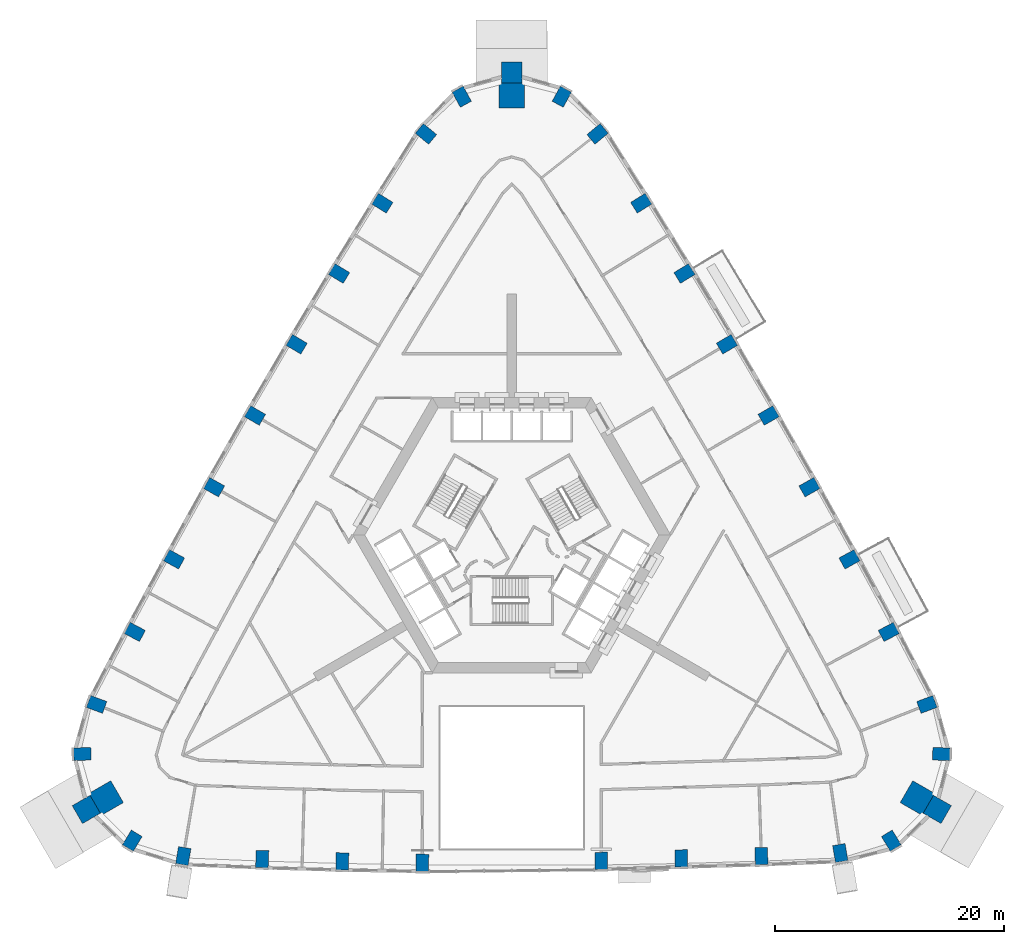
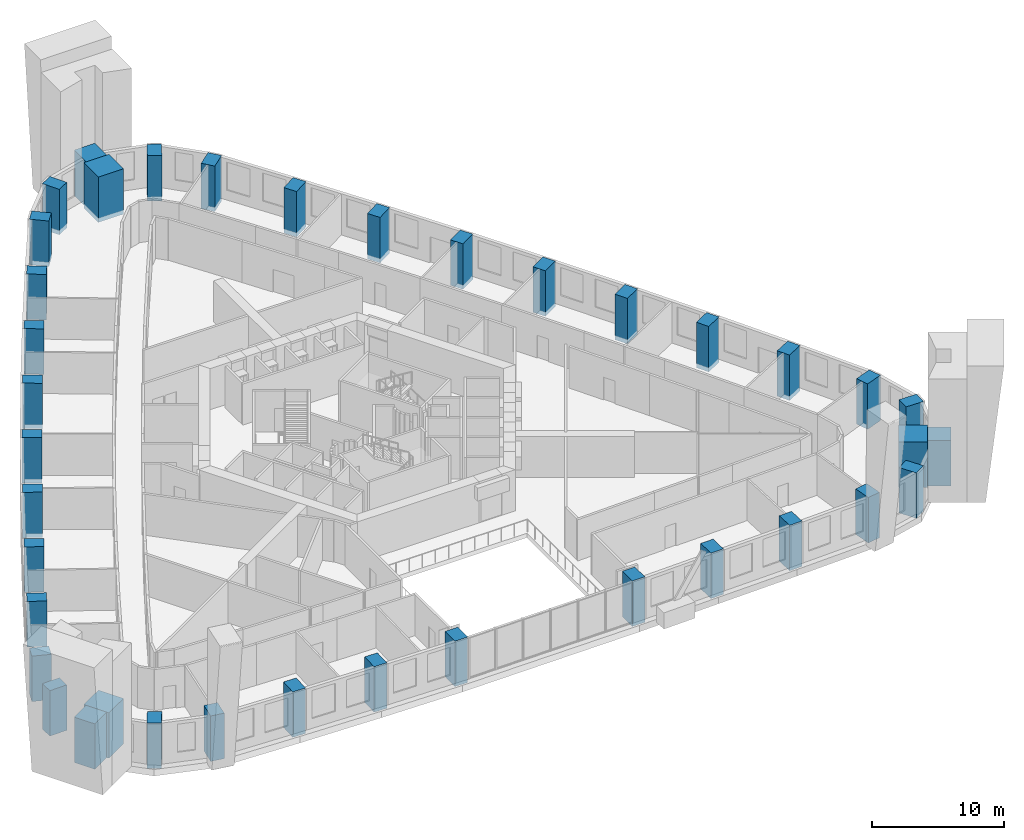
# One storey, part 1 of 15: 38 columns.
"""IFC4 building model written with IfcOpenShell, lengths in metres."""

from ifc_helpers import new_model, si_unit, direction, frame, origin, origin_2d, place, context, subcontext, project, spatial, rectangle, extrude, material, material_profile, profile_set, type_object, element, save


model = new_model("IFC4")

# Units and contexts
model_context = context("Model", 3, precision=1e-05, world=origin(), true_north=direction((0.0, 1.0)))
body_context = subcontext(model_context, "Body", "Model", "MODEL_VIEW")
ifc_project = project(units=[si_unit("LENGTHUNIT", "METRE"), si_unit("AREAUNIT", "SQUARE_METRE"), si_unit("VOLUMEUNIT", "CUBIC_METRE"), si_unit("PLANEANGLEUNIT", "RADIAN"), si_unit("MASSUNIT", "GRAM", prefix="KILO")], contexts=[model_context])

# Site, building, storey
site_placement = place(None, origin())
site = spatial("IfcSite", under=ifc_project, at=site_placement, CompositionType="ELEMENT")
building_placement = place(site_placement, origin())
building = spatial("IfcBuilding", under=site, at=building_placement, Name="Entoto Arch Interchange Tower", CompositionType="ELEMENT")
storey_placement = place(building_placement, frame((0.0, 0.0, 99.199951171875)))
storey = spatial("IfcBuildingStorey", under=building, at=storey_placement, Name="L21", CompositionType="ELEMENT", Elevation=99.199951171875)

# Columns
ifc_material_1 = material(Name="Concrete C60/75", Category="concrete")
ifc_material_profile_1 = material_profile(ifc_material_1, rectangle(XDim=1.10009765625, YDim=1.5, at=origin_2d()))
ifc_profile_set_1 = profile_set([ifc_material_profile_1], Name="Concrete C60/75")
column_type_1 = type_object("IfcColumnType", Name="Column RC 1100x1500 C60/75", PredefinedType="COLUMN", material=ifc_profile_set_1)
for number, where, z_axis, x_axis, name in (
    (1, (-28.633056640625, -25.47802734375, -0.39990234375), (0.0, 0.0, 1.0), (-0.985759288085, 0.168162498658, 0.0), "Column S01 L21"),
    (2, (-21.757080078125, -25.742919921875, -0.39990234375), (0.0, 0.0, 1.0), (-0.999373652571, 0.035387887008, 0.0), "Column S02 L21"),
    (3, (-14.77294921875, -25.943115234375, -0.39990234375), (0.0, 0.0, 1.0), (-0.999711216939, 0.024030870297, 0.0), "Column S03 L21"),
    (4, (-7.7919921875, -26.06591796875, -0.39990234375), (0.0, 0.0, 1.0), (-0.999958020206, 0.009162850353, 0.0), "Column S04 L21"),
    (5, (7.7919921875, -25.89404296875, -0.39990234375), (0.0, 0.0, 1.0), (0.999958020206, 0.009162850353, 0.0), "Column S05 L21"),
    (6, (14.77294921875, -25.678955078125, -0.39990234375), (0.0, 0.0, 1.0), (0.999711216939, 0.024030870297, 0.0), "Column S06 L21"),
    (7, (21.757080078125, -25.47900390625, -0.39990234375), (0.0, 0.0, 1.0), (0.999373652571, 0.035387887008, 0.0), "Column S07 L21"),
    (8, (28.633056640625, -25.214111328125, -0.39990234375), (0.0, 0.0, 1.0), (0.985759288085, 0.168162498658, 0.0), "Column S08 L21"),
    (9, (33.077880859375, -24.132080078125, -0.39990234375), (0.0, 0.0, 1.0), (0.854095929175, 0.520115510024, 0.0), "Column SE1 L21"),
    (10, (37.43798828125, -16.5810546875, -0.39990234375), (0.0, 0.0, 1.0), (0.023385279996, 0.999726526946, 0.0), "Column SE3 L21"),
    (11, (36.18798828125, -12.260986328125, -0.39990234375), (0.0, 0.0, 1.0), (-0.347312116358, 0.937749590152, 0.0), "Column NE01 L21"),
    (12, (32.85791015625, -5.943115234375, -0.39990234375), (0.0, 0.0, 1.0), (-0.469332863911, 0.883021326386, 0.0), "Column NE02 L21"),
    (13, (29.43798828125, 0.385009765625, -0.39990234375), (0.0, 0.0, 1.0), (-0.479611016922, 0.87748120917, 0.0), "Column NE03 L21"),
    (14, (25.947998046875, 6.675048828125, -0.39990234375), (0.0, 0.0, 1.0), (-0.489838999048, 0.87181291285, 0.0), "Column NE04 L21"),
    (15, (22.386962890625, 12.925048828125, -0.39990234375), (0.0, 0.0, 1.0), (-0.5, 0.866025403784, 0.0), "Column NE05 L21"),
    (16, (18.7548828125, 19.134033203125, -0.39990234375), (0.0, 0.0, 1.0), (-0.510092630351, 0.860119473365, 0.0), "Column NE06 L21"),
    (17, (15.052978515625, 25.302001953125, -0.39990234375), (0.0, 0.0, 1.0), (-0.520115510024, 0.854095929175, 0.0), "Column NE07 L21"),
    (18, (11.282958984375, 31.427978515625, -0.39990234375), (0.0, 0.0, 1.0), (-0.530067268476, 0.847955594881, 0.0), "Column NE08 L21"),
    (19, (7.47607421875, 37.469970703125, -0.39990234375), (0.0, 0.0, 1.0), (-0.638458909281, 0.769655910885, 0.0), "Column NE09 L21"),
    (20, (4.360107421875, 40.7119140625, -0.39990234375), (0.0, 0.0, 1.0), (-0.87748120917, 0.479611016922, 0.0), "Column N1 L21"),
    (21, (-4.360107421875, 40.7119140625, -0.39990234375), (0.0, 0.0, 1.0), (0.87748120917, 0.479611016922, 0.0), "Column N3 L21"),
    (22, (-7.47607421875, 37.469970703125, -0.39990234375), (0.0, 0.0, 1.0), (0.638458909281, 0.769655910885, 0.0), "Column NW01 L21"),
    (23, (-11.282958984375, 31.427978515625, -0.39990234375), (0.0, 0.0, 1.0), (0.530067268476, 0.847955594881, 0.0), "Column NW02 L21"),
    (24, (-15.052978515625, 25.302001953125, -0.39990234375), (0.0, 0.0, 1.0), (0.520115510024, 0.854095929175, 0.0), "Column NW03 L21"),
    (25, (-18.7548828125, 19.134033203125, -0.39990234375), (0.0, 0.0, 1.0), (0.510092630351, 0.860119473365, 0.0), "Column NW04 L21"),
    (26, (-22.386962890625, 12.925048828125, -0.39990234375), (0.0, 0.0, 1.0), (0.5, 0.866025403784, 0.0), "Column NW05 L21"),
    (27, (-25.947998046875, 6.675048828125, -0.39990234375), (0.0, 0.0, 1.0), (0.489838999048, 0.87181291285, 0.0), "Column NW06 L21"),
    (28, (-29.43798828125, 0.385009765625, -0.39990234375), (0.0, 0.0, 1.0), (0.479611016922, 0.87748120917, 0.0), "Column NW07 L21"),
    (29, (-32.85791015625, -5.943115234375, -0.39990234375), (0.0, 0.0, 1.0), (0.469332863911, 0.883021326386, 0.0), "Column NW08 L21"),
    (30, (-36.18798828125, -12.260986328125, -0.39990234375), (0.0, 0.0, 1.0), (0.347312116358, 0.937749590152, 0.0), "Column NW09 L21"),
    (31, (-37.43798828125, -16.5810546875, -0.39990234375), (0.0, 0.0, 1.0), (-0.023385279996, 0.999726526946, 0.0), "Column SW1 L21"),
    (32, (-33.077880859375, -24.132080078125, -0.39990234375), (0.0, 0.0, 1.0), (-0.854095929175, 0.520115510024, 0.0), "Column SW3 L21"),
):
    element("IfcColumn", number, at=place(storey_placement, frame(where, z_axis=z_axis, x_axis=x_axis)), inside=storey, type_object=column_type_1, Name=name, PredefinedType="COLUMN", context=body_context, shape_type="SweptSolid", body=[
        extrude(rectangle(XDim=1.10009765625, YDim=1.5, at=origin_2d()), origin(), (0.0, 0.0, 1.0), 4.199951171875),
    ])
ifc_material_2 = material(Name="Precast concrete C40/50", Category="concrete")
ifc_material_profile_2 = material_profile(ifc_material_2, rectangle(XDim=1.800048828125, YDim=1.800048828125, at=origin_2d()))
ifc_profile_set_2 = profile_set([ifc_material_profile_2], Name="Precast concrete C40/50")
column_type_2 = type_object("IfcColumnType", Name="Frame post RC 1800x1800 precast C40/50", PredefinedType="COLUMN", material=ifc_profile_set_2)
for number, where, z_axis, x_axis, name in (
    (33, (37.089111328125, -21.4140625, -0.39990234375), (0.0, 0.0, 1.0), (-0.866025403784, 0.5, 0.0), "Frame post SE L21"),
    (34, (0.0, 42.826904296875, -0.39990234375), (0.0, 0.0, 1.0), (0.0, 1.0, 0.0), "Frame post N L21"),
    (35, (-37.089111328125, -21.4140625, -0.39990234375), (0.0, 0.0, 1.0), (0.866025403784, 0.5, 0.0), "Frame post SW L21"),
):
    element("IfcColumn", number, at=place(storey_placement, frame(where, z_axis=z_axis, x_axis=x_axis)), inside=storey, type_object=column_type_2, Name=name, PredefinedType="COLUMN", context=body_context, shape_type="SweptSolid", body=[
        extrude(rectangle(XDim=1.800048828125, YDim=1.800048828125, at=origin_2d()), origin(), (0.0, 0.0, 1.0), 4.199951171875),
    ])
ifc_material_profile_3 = material_profile(ifc_material_1, rectangle(XDim=2.199951171875, YDim=2.199951171875, at=origin_2d()))
ifc_profile_set_3 = profile_set([ifc_material_profile_3], Name="Concrete C60/75")
column_type_3 = type_object("IfcColumnType", Name="Mega column RC 2200x2200 C60/75", PredefinedType="COLUMN", material=ifc_profile_set_3)
for number, where, z_axis, x_axis, name in (
    (36, (35.35693359375, -20.4140625, -0.39990234375), (0.0, 0.0, 1.0), (-0.866025403784, 0.5, 0.0), "Corner mega column SE2 L21"),
    (37, (0.0, 40.826904296875, -0.39990234375), (0.0, 0.0, 1.0), (0.0, 1.0, 0.0), "Corner mega column N2 L21"),
    (38, (-35.35693359375, -20.4140625, -0.39990234375), (0.0, 0.0, 1.0), (0.866025403784, 0.5, 0.0), "Corner mega column SW2 L21"),
):
    element("IfcColumn", number, at=place(storey_placement, frame(where, z_axis=z_axis, x_axis=x_axis)), inside=storey, type_object=column_type_3, Name=name, PredefinedType="COLUMN", context=body_context, shape_type="SweptSolid", body=[
        extrude(rectangle(XDim=2.199951171875, YDim=2.199951171875, at=origin_2d()), origin(), (0.0, 0.0, 1.0), 4.199951171875),
    ])

save(model, "model.ifc")
